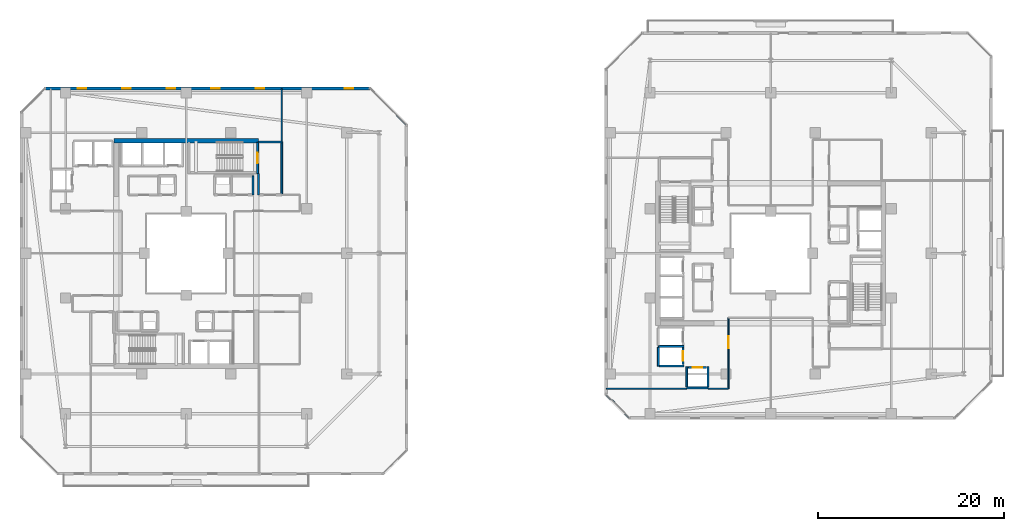
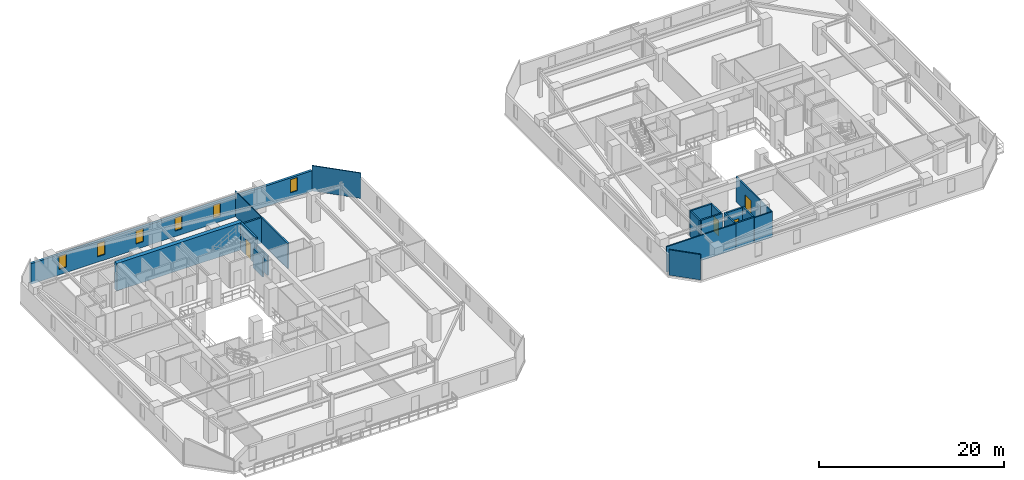
# One storey, part 22 of 32: 22 walls, 6 windows, 4 doors, 10 openings.
"""IFC4 building model written with IfcOpenShell, lengths in metres."""

from ifc_helpers import new_model, si_unit, direction, frame, frame_2d, origin, place, context, subcontext, project, spatial, rectangle, extrude, material, layer, layer_set, type_object, element, fill, save


model = new_model("IFC4")

# Units and contexts
model_context = context("Model", 3, precision=1e-05, world=origin(), true_north=direction((0.0, 1.0)))
body_context = subcontext(model_context, "Body", "Model", "MODEL_VIEW")
ifc_project = project(units=[si_unit("LENGTHUNIT", "METRE"), si_unit("AREAUNIT", "SQUARE_METRE"), si_unit("VOLUMEUNIT", "CUBIC_METRE"), si_unit("PLANEANGLEUNIT", "RADIAN"), si_unit("MASSUNIT", "GRAM", prefix="KILO")], contexts=[model_context])

# Site, building, storey
site_placement = place(None, origin())
site = spatial("IfcSite", under=ifc_project, at=site_placement, CompositionType="ELEMENT")
building_placement = place(site_placement, origin())
building = spatial("IfcBuilding", under=site, at=building_placement, Name="Thornwick Lancets Civic Towers", CompositionType="ELEMENT")
storey_placement = place(building_placement, frame((0.0, 0.0, 152.699951171875)))
storey = spatial("IfcBuildingStorey", under=building, at=storey_placement, Name="L40", CompositionType="ELEMENT", Elevation=152.699951171875)

# Wall, opening, door
ifc_material_1 = material(Name="Concrete blockwork C40/50", Category="masonry")
ifc_layer_1 = layer(ifc_material_1, 0.199951171875, Name="Concrete blockwork C40/50")
ifc_layer_set_1 = layer_set([ifc_layer_1], Name="Concrete blockwork C40/50")
wall_type_1 = type_object("IfcWallType", Name="WALL_COMP_200", PredefinedType="STANDARD", material=ifc_layer_set_1)
wall_1_placement = place(storey_placement, frame((79.050048828125, 15.030029296875, 0.0), z_axis=(0.0, 0.0, 1.0), x_axis=(0.0, 1.0, 0.0)))
wall_1 = element("IfcWall", 1, at=wall_1_placement, inside=storey, type_object=wall_type_1, Name="L40 Hoistway Front Wall PL-BM2", PredefinedType="STANDARD", context=body_context, shape_type="SweptSolid", body=[
    extrude(rectangle(XDim=1.7900390625, YDim=0.199951171875, at=frame_2d((0.89501953125, 0.0))), origin(), (0.0, 0.0, 1.0), 3.340087890625),
])
opening_1_placement = place(wall_1_placement, frame((0.385009765625, 0.0, 0.0)))
opening_1 = element("IfcOpeningElement", 2, at=opening_1_placement, cuts=wall_1, Name="Opening LD-PL-BM2", PredefinedType="OPENING", context=body_context, shape_type="SweptSolid", body=[
    extrude(rectangle(XDim=1.02001953125, YDim=2.06005859375, at=frame_2d((0.510009765625, 1.030029296875))), frame((0.0, 0.10986328125, 0.0), z_axis=(0.0, -1.0, 0.0), x_axis=(1.0, 0.0, 0.0)), (0.0, 0.0, 1.0), 0.219970703125),
])
ifc_material_2 = material(Name="Brushed bronze stainless steel", Category="steel")
door_type_1 = type_object("IfcDoorType", Name="DOOR_LIFT_SLIDE", OperationType="SLIDING_TO_LEFT", PredefinedType="DOOR", material=ifc_material_2)
door_1_placement = place(opening_1_placement, origin())
door_1 = element("IfcDoor", 3, at=door_1_placement, inside=storey, type_object=door_type_1, Name="L40 Sliding Lift Landing Door LD-PL-BM2", OperationType="SLIDING_TO_LEFT", OverallHeight=2.06005859375, OverallWidth=1.02001953125, PredefinedType="DOOR", context=body_context, shape_type="SweptSolid", body=[
    extrude(rectangle(XDim=1.02001953125, YDim=2.06005859375, at=frame_2d((0.510009765625, 1.030029296875))), frame((0.0, 0.02490234375, 0.0), z_axis=(0.0, -1.0, 0.0), x_axis=(1.0, 0.0, 0.0)), (0.0, 0.0, 1.0), 0.050048828125),
])
fill(opening_1, door_1)

wall_2_placement = place(storey_placement, frame((79.6298828125, 14.699951171875, 0.0), z_axis=(0.0, 0.0, 1.0), x_axis=(1.0, 0.0, 0.0)))
wall_2 = element("IfcWall", 4, at=wall_2_placement, inside=storey, type_object=wall_type_1, Name="L40 Hoistway Front Wall PL-BM3", PredefinedType="STANDARD", context=body_context, shape_type="SweptSolid", body=[
    extrude(rectangle(XDim=1.940185546875, YDim=0.199951171875, at=frame_2d((0.97021484375, 0.0))), origin(), (0.0, 0.0, 1.0), 3.340087890625),
])
opening_2_placement = place(wall_2_placement, frame((0.4599609375, 0.0, 0.0)))
opening_2 = element("IfcOpeningElement", 5, at=opening_2_placement, cuts=wall_2, Name="Opening LD-PL-BM3", PredefinedType="OPENING", context=body_context, shape_type="SweptSolid", body=[
    extrude(rectangle(XDim=1.02001953125, YDim=2.06005859375, at=frame_2d((0.510009765625, 1.030029296875))), frame((0.0, 0.10986328125, 0.0), z_axis=(0.0, -1.0, 0.0), x_axis=(1.0, 0.0, 0.0)), (0.0, 0.0, 1.0), 0.219970703125),
])
door_2_placement = place(opening_2_placement, origin())
door_2 = element("IfcDoor", 6, at=door_2_placement, inside=storey, type_object=door_type_1, Name="L40 Sliding Lift Landing Door LD-PL-BM3", OperationType="SLIDING_TO_LEFT", OverallHeight=2.06005859375, OverallWidth=1.02001953125, PredefinedType="DOOR", context=body_context, shape_type="SweptSolid", body=[
    extrude(rectangle(XDim=1.02001953125, YDim=2.06005859375, at=frame_2d((0.510009765625, 1.030029296875))), frame((0.0, 0.02490234375, 0.0), z_axis=(0.0, -1.0, 0.0), x_axis=(1.0, 0.0, 0.0)), (0.0, 0.0, 1.0), 0.050048828125),
])
fill(opening_2, door_2)

# Walls
wall_3_placement = place(storey_placement, frame((76.402099609375, 16.97509765625, 0.0), z_axis=(0.0, 0.0, 1.0), x_axis=(1.0, 0.0, 0.0)))
element("IfcWall", 7, at=wall_3_placement, inside=storey, type_object=wall_type_1, Name="L40 Hoistway Shaft Wall PL-BM1 S", PredefinedType="STANDARD", context=body_context, shape_type="SweptSolid", body=[
    extrude(rectangle(XDim=2.745849609375, YDim=0.199951171875, at=frame_2d((1.373046875, 0.0))), origin(), (0.0, 0.0, 1.0), 3.340087890625),
])
wall_4_placement = place(storey_placement, frame((76.39990234375, 14.85205078125, 0.0), z_axis=(0.0, 0.0, 1.0), x_axis=(0.0, 1.0, 0.0)))
element("IfcWall", 8, at=wall_4_placement, inside=storey, type_object=wall_type_1, Name="L40 Hoistway Shaft Wall PL-BM1 W", PredefinedType="STANDARD", context=body_context, shape_type="SweptSolid", body=[
    extrude(rectangle(XDim=2.015869140625, YDim=0.199951171875, at=frame_2d((1.0078125, 0.0))), origin(), (0.0, 0.0, 1.0), 3.340087890625),
])
wall_5_placement = place(storey_placement, frame((76.511962890625, 14.85009765625, 0.0), z_axis=(0.0, 0.0, 1.0), x_axis=(1.0, 0.0, 0.0)))
element("IfcWall", 9, at=wall_5_placement, inside=storey, type_object=wall_type_1, Name="L40 Hoistway Shaft Wall PL-BM2 S", PredefinedType="STANDARD", context=body_context, shape_type="SweptSolid", body=[
    extrude(rectangle(XDim=2.635986328125, YDim=0.199951171875, at=frame_2d((1.31787109375, 0.0))), origin(), (0.0, 0.0, 1.0), 3.340087890625),
])
wall_6_placement = place(storey_placement, frame((79.451904296875, 12.5, 0.0), z_axis=(0.0, 0.0, 1.0), x_axis=(1.0, 0.0, 0.0)))
element("IfcWall", 10, at=wall_6_placement, inside=storey, type_object=wall_type_1, Name="L40 Hoistway Shaft Wall PL-BM3 S", PredefinedType="STANDARD", context=body_context, shape_type="SweptSolid", body=[
    extrude(rectangle(XDim=2.296142578125, YDim=0.199951171875, at=frame_2d((1.14794921875, 0.0))), origin(), (0.0, 0.0, 1.0), 3.340087890625),
])
for number, where, z_axis, x_axis, name in (
    (11, (81.75, 12.612060546875, 0.0), (0.0, 0.0, 1.0), (0.0, 1.0, 0.0), "L40 Hoistway Shaft Wall PL-BM3 E"),
    (12, (79.449951171875, 12.612060546875, 0.0), (0.0, 0.0, 1.0), (0.0, 1.0, 0.0), "L40 Hoistway Shaft Wall PL-BM3 W"),
):
    element("IfcWall", number, at=place(storey_placement, frame(where, z_axis=z_axis, x_axis=x_axis)), inside=storey, type_object=wall_type_1, Name=name, PredefinedType="STANDARD", context=body_context, shape_type="SweptSolid", body=[
        extrude(rectangle(XDim=2.18603515625, YDim=0.199951171875, at=frame_2d((1.093017578125, 0.0))), origin(), (0.0, 0.0, 1.0), 3.340087890625),
    ])
wall_7_placement = place(storey_placement, frame((35.800048828125, 33.300048828125, 0.0), z_axis=(0.0, 0.0, 1.0), x_axis=(0.0, 1.0, 0.0)))
element("IfcWall", 13, at=wall_7_placement, inside=storey, type_object=wall_type_1, Name="L40 Partition L40-A-FFLOB2 E2", PredefinedType="STANDARD", context=body_context, shape_type="SweptSolid", body=[
    extrude(rectangle(XDim=5.699951171875, YDim=0.199951171875, at=frame_2d((2.85009765625, 0.0))), origin(), (0.0, 0.0, 1.0), 3.340087890625),
])
wall_8_placement = place(storey_placement, frame((35.800048828125, 39.0, 0.0), z_axis=(0.0, 0.0, 1.0), x_axis=(-1.0, 0.0, 0.0)))
element("IfcWall", 14, at=wall_8_placement, inside=storey, type_object=wall_type_1, Name="L40 Partition L40-A-FFLOB2 E3", PredefinedType="STANDARD", context=body_context, shape_type="SweptSolid", body=[
    extrude(rectangle(XDim=2.5, YDim=0.199951171875, at=frame_2d((1.25, 0.0))), origin(), (0.0, 0.0, 1.0), 3.340087890625),
])
wall_9_placement = place(storey_placement, frame((33.300048828125, 35.60009765625, 0.0), z_axis=(0.0, 0.0, 1.0), x_axis=(0.0, -1.0, 0.0)))
element("IfcWall", 15, at=wall_9_placement, inside=storey, type_object=wall_type_1, Name="L40 Partition L40-A-FFLOB2 E4", PredefinedType="STANDARD", context=body_context, shape_type="SweptSolid", body=[
    extrude(rectangle(XDim=2.300048828125, YDim=0.199951171875, at=frame_2d((1.14990234375, 0.0))), origin(), (0.0, 0.0, 1.0), 2.545166015625),
])
wall_10_placement = place(storey_placement, frame((32.699951171875, 35.35009765625, 0.0), z_axis=(0.0, 0.0, 1.0), x_axis=(0.0, -1.0, 0.0)))
element("IfcWall", 16, at=wall_10_placement, inside=storey, type_object=wall_type_1, Name="L40 Partition L40-A-STR E1", PredefinedType="STANDARD", context=body_context, shape_type="SweptSolid", body=[
    extrude(rectangle(XDim=2.050048828125, YDim=0.199951171875, at=frame_2d((1.02490234375, 0.0))), origin(), (0.0, 0.0, 1.0), 2.545166015625),
])
ifc_material_3 = material(Name="Concrete C50/60", Category="concrete")
ifc_layer_2 = layer(ifc_material_3, 0.5, Name="Concrete C50/60")
ifc_layer_set_2 = layer_set([ifc_layer_2], Name="Concrete C50/60")
wall_type_2 = type_object("IfcWallType", Name="WALL_CORE_500", PredefinedType="SHEAR", material=ifc_layer_set_2)
wall_11_placement = place(storey_placement, frame((17.699951171875, 39.14990234375, 0.0), z_axis=(0.0, 0.0, 1.0), x_axis=(1.0, 0.0, 0.0)))
element("IfcWall", 17, at=wall_11_placement, inside=storey, type_object=wall_type_2, Name="L40 Split Core A2 Shear Wall N", PredefinedType="SHEAR", context=body_context, shape_type="SweptSolid", body=[
    extrude(rectangle(XDim=15.60009765625, YDim=0.5, at=frame_2d((7.800048828125, 0.0))), origin(), (0.0, 0.0, 1.0), 3.60009765625),
])

# Wall, openings, windows
ifc_material_4 = material(Name="Insulated russet terracotta rainscreen on concrete C40/50", Category="masonry")
ifc_layer_3 = layer(ifc_material_4, 0.300048828125, Name="Insulated russet terracotta rainscreen on concrete C40/50")
ifc_layer_set_3 = layer_set([ifc_layer_3], Name="Insulated russet terracotta rainscreen on concrete C40/50")
wall_type_3 = type_object("IfcWallType", Name="WALL_EXT_RUSSET_300", PredefinedType="STANDARD", material=ifc_layer_set_3)
wall_12_placement = place(storey_placement, frame((45.3017578125, 44.760009765625, 0.0), z_axis=(0.0, 0.0, 1.0), x_axis=(-0.999999991209, 0.000132597301, 0.0)))
wall_12 = element("IfcWall", 18, at=wall_12_placement, inside=storey, type_object=wall_type_3, Name="L40 Tower A Terracotta Facade Wall E4", PredefinedType="STANDARD", context=body_context, shape_type="SweptSolid", body=[
    extrude(rectangle(XDim=34.983154296875, YDim=0.300048828125, at=frame_2d((17.49169921875, 0.0))), origin(), (0.0, 0.0, 1.0), 2.699951171875),
])
opening_3_placement = place(wall_12_placement, frame((1.800048828125, 0.0, 0.719970703125)))
opening_3 = element("IfcOpeningElement", 19, at=opening_3_placement, cuts=wall_12, Name="Opening WL-01", PredefinedType="OPENING", context=body_context, shape_type="SweptSolid", body=[
    extrude(rectangle(XDim=0.89990234375, YDim=1.75, at=frame_2d((0.449951171875, 0.875))), frame((0.0, 0.16015625, 0.0), z_axis=(0.0, -1.0, 0.0), x_axis=(1.0, 0.0, 0.0)), (0.0, 0.0, 1.0), 0.320068359375),
])
opening_4_placement = place(wall_12_placement, frame((11.39990234375, 0.0, 0.719970703125)))
opening_4 = element("IfcOpeningElement", 20, at=opening_4_placement, cuts=wall_12, Name="Opening WL-01", PredefinedType="OPENING", context=body_context, shape_type="SweptSolid", body=[
    extrude(rectangle(XDim=0.89990234375, YDim=1.75, at=frame_2d((0.449951171875, 0.875))), frame((0.0, 0.16015625, 0.0), z_axis=(0.0, -1.0, 0.0), x_axis=(1.0, 0.0, 0.0)), (0.0, 0.0, 1.0), 0.320068359375),
])
opening_5_placement = place(wall_12_placement, frame((16.199951171875, 0.0, 0.719970703125)))
opening_5 = element("IfcOpeningElement", 21, at=opening_5_placement, cuts=wall_12, Name="Opening WL-01", PredefinedType="OPENING", context=body_context, shape_type="SweptSolid", body=[
    extrude(rectangle(XDim=0.89990234375, YDim=1.75, at=frame_2d((0.449951171875, 0.875))), frame((0.0, 0.16015625, 0.0), z_axis=(0.0, -1.0, 0.0), x_axis=(1.0, 0.0, 0.0)), (0.0, 0.0, 1.0), 0.320068359375),
])
opening_6_placement = place(wall_12_placement, frame((21.0, 0.0, 0.719970703125)))
opening_6 = element("IfcOpeningElement", 22, at=opening_6_placement, cuts=wall_12, Name="Opening WL-01", PredefinedType="OPENING", context=body_context, shape_type="SweptSolid", body=[
    extrude(rectangle(XDim=0.89990234375, YDim=1.75, at=frame_2d((0.449951171875, 0.875))), frame((0.0, 0.16015625, 0.0), z_axis=(0.0, -1.0, 0.0), x_axis=(1.0, 0.0, 0.0)), (0.0, 0.0, 1.0), 0.320068359375),
])
opening_7_placement = place(wall_12_placement, frame((25.800048828125, 0.0, 0.719970703125)))
opening_7 = element("IfcOpeningElement", 23, at=opening_7_placement, cuts=wall_12, Name="Opening WL-01", PredefinedType="OPENING", context=body_context, shape_type="SweptSolid", body=[
    extrude(rectangle(XDim=0.89990234375, YDim=1.75, at=frame_2d((0.449951171875, 0.875))), frame((0.0, 0.16015625, 0.0), z_axis=(0.0, -1.0, 0.0), x_axis=(1.0, 0.0, 0.0)), (0.0, 0.0, 1.0), 0.320068359375),
])
opening_8_placement = place(wall_12_placement, frame((30.60009765625, 0.0, 0.719970703125)))
opening_8 = element("IfcOpeningElement", 24, at=opening_8_placement, cuts=wall_12, Name="Opening WL-01", PredefinedType="OPENING", context=body_context, shape_type="SweptSolid", body=[
    extrude(rectangle(XDim=0.89990234375, YDim=1.75, at=frame_2d((0.449951171875, 0.875))), frame((0.0, 0.16015625, 0.0), z_axis=(0.0, -1.0, 0.0), x_axis=(1.0, 0.0, 0.0)), (0.0, 0.0, 1.0), 0.320068359375),
])
ifc_material_5 = material(Name="Clear low-e double glazing in bronze frame", Category="glass")
window_type = type_object("IfcWindowType", Name="WIN_LANCET_900", PartitioningType="SINGLE_PANEL", PredefinedType="WINDOW", material=ifc_material_5)
window_1_placement = place(opening_3_placement, origin())
window_1 = element("IfcWindow", 25, at=window_1_placement, inside=storey, type_object=window_type, Name="L40 Tower A Staggered Lancet Window E4-1", OverallHeight=1.75, OverallWidth=0.89990234375, PartitioningType="SINGLE_PANEL", PredefinedType="WINDOW", context=body_context, shape_type="SweptSolid", body=[
    extrude(rectangle(XDim=0.89990234375, YDim=1.75, at=frame_2d((0.449951171875, 0.875))), frame((0.0, 0.030029296875, 0.0), z_axis=(0.0, -1.0, 0.0), x_axis=(1.0, 0.0, 0.0)), (0.0, 0.0, 1.0), 0.06005859375),
])
fill(opening_3, window_1)
window_2_placement = place(opening_4_placement, origin())
window_2 = element("IfcWindow", 26, at=window_2_placement, inside=storey, type_object=window_type, Name="L40 Tower A Staggered Lancet Window E4-2", OverallHeight=1.75, OverallWidth=0.89990234375, PartitioningType="SINGLE_PANEL", PredefinedType="WINDOW", context=body_context, shape_type="SweptSolid", body=[
    extrude(rectangle(XDim=0.89990234375, YDim=1.75, at=frame_2d((0.449951171875, 0.875))), frame((0.0, 0.030029296875, 0.0), z_axis=(0.0, -1.0, 0.0), x_axis=(1.0, 0.0, 0.0)), (0.0, 0.0, 1.0), 0.06005859375),
])
fill(opening_4, window_2)
window_3_placement = place(opening_5_placement, origin())
window_3 = element("IfcWindow", 27, at=window_3_placement, inside=storey, type_object=window_type, Name="L40 Tower A Staggered Lancet Window E4-3", OverallHeight=1.75, OverallWidth=0.89990234375, PartitioningType="SINGLE_PANEL", PredefinedType="WINDOW", context=body_context, shape_type="SweptSolid", body=[
    extrude(rectangle(XDim=0.89990234375, YDim=1.75, at=frame_2d((0.449951171875, 0.875))), frame((0.0, 0.030029296875, 0.0), z_axis=(0.0, -1.0, 0.0), x_axis=(1.0, 0.0, 0.0)), (0.0, 0.0, 1.0), 0.06005859375),
])
fill(opening_5, window_3)
window_4_placement = place(opening_6_placement, origin())
window_4 = element("IfcWindow", 28, at=window_4_placement, inside=storey, type_object=window_type, Name="L40 Tower A Staggered Lancet Window E4-4", OverallHeight=1.75, OverallWidth=0.89990234375, PartitioningType="SINGLE_PANEL", PredefinedType="WINDOW", context=body_context, shape_type="SweptSolid", body=[
    extrude(rectangle(XDim=0.89990234375, YDim=1.75, at=frame_2d((0.449951171875, 0.875))), frame((0.0, 0.030029296875, 0.0), z_axis=(0.0, -1.0, 0.0), x_axis=(1.0, 0.0, 0.0)), (0.0, 0.0, 1.0), 0.06005859375),
])
fill(opening_6, window_4)
window_5_placement = place(opening_7_placement, origin())
window_5 = element("IfcWindow", 29, at=window_5_placement, inside=storey, type_object=window_type, Name="L40 Tower A Staggered Lancet Window E4-5", OverallHeight=1.75, OverallWidth=0.89990234375, PartitioningType="SINGLE_PANEL", PredefinedType="WINDOW", context=body_context, shape_type="SweptSolid", body=[
    extrude(rectangle(XDim=0.89990234375, YDim=1.75, at=frame_2d((0.449951171875, 0.875))), frame((0.0, 0.030029296875, 0.0), z_axis=(0.0, -1.0, 0.0), x_axis=(1.0, 0.0, 0.0)), (0.0, 0.0, 1.0), 0.06005859375),
])
fill(opening_7, window_5)
window_6_placement = place(opening_8_placement, origin())
window_6 = element("IfcWindow", 30, at=window_6_placement, inside=storey, type_object=window_type, Name="L40 Tower A Staggered Lancet Window E4-6", OverallHeight=1.75, OverallWidth=0.89990234375, PartitioningType="SINGLE_PANEL", PredefinedType="WINDOW", context=body_context, shape_type="SweptSolid", body=[
    extrude(rectangle(XDim=0.89990234375, YDim=1.75, at=frame_2d((0.449951171875, 0.875))), frame((0.0, 0.030029296875, 0.0), z_axis=(0.0, -1.0, 0.0), x_axis=(1.0, 0.0, 0.0)), (0.0, 0.0, 1.0), 0.06005859375),
])
fill(opening_8, window_6)

# Walls
ifc_material_6 = material(Name="Acoustic gypsum board partition")
ifc_layer_4 = layer(ifc_material_6, 0.1201171875, Name="Acoustic gypsum board partition")
ifc_layer_set_4 = layer_set([ifc_layer_4], Name="Acoustic gypsum board partition")
wall_type_4 = type_object("IfcWallType", Name="WALL_PART_120", PredefinedType="PARTITIONING", material=ifc_layer_set_4)
wall_13_placement = place(storey_placement, frame((35.800048828125, 39.0, 0.0), z_axis=(0.0, 0.0, 1.0), x_axis=(0.0, 1.0, 0.0)))
element("IfcWall", 31, at=wall_13_placement, inside=storey, type_object=wall_type_4, Name="L40 Partition L40-A-E3 E6", PredefinedType="PARTITIONING", context=body_context, shape_type="SweptSolid", body=[
    extrude(rectangle(XDim=5.719970703125, YDim=0.1201171875, at=frame_2d((2.85986328125, 0.0))), origin(), (0.0, 0.0, 1.0), 3.340087890625),
])
wall_14_placement = place(storey_placement, frame((45.34033203125, 44.719970703125, 0.0), z_axis=(0.0, 0.0, 1.0), x_axis=(0.707106781187, -0.707106781187, 0.0)))
element("IfcWall", 32, at=wall_14_placement, inside=storey, type_object=wall_type_4, Name="L40 Partition L40-A-E3 E8", PredefinedType="PARTITIONING", context=body_context, shape_type="SweptSolid", body=[
    extrude(rectangle(XDim=5.486572265625, YDim=0.1201171875, at=frame_2d((2.7431640625, 0.0))), origin(), (0.0, 0.0, 1.0), 3.340087890625),
])

# Wall, opening, door
ifc_material_7 = material(Name="Twin-stud acoustic gypsum board")
ifc_layer_5 = layer(ifc_material_7, 0.14990234375, Name="Twin-stud acoustic gypsum board")
ifc_layer_set_5 = layer_set([ifc_layer_5], Name="Twin-stud acoustic gypsum board")
wall_type_5 = type_object("IfcWallType", Name="WALL_PART_150", PredefinedType="PARTITIONING", material=ifc_layer_set_5)
wall_15_placement = place(storey_placement, frame((83.949951171875, 14.75, 0.0), z_axis=(0.0, 0.0, 1.0), x_axis=(0.0, 1.0, 0.0)))
wall_15 = element("IfcWall", 33, at=wall_15_placement, inside=storey, type_object=wall_type_5, Name="L40 Partition L40-B-W2 E1", PredefinedType="PARTITIONING", context=body_context, shape_type="SweptSolid", body=[
    extrude(rectangle(XDim=5.300048828125, YDim=0.14990234375, at=frame_2d((2.64990234375, 0.0))), origin(), (0.0, 0.0, 1.0), 3.340087890625),
])
opening_9_placement = place(wall_15_placement, frame((2.0, 0.0, 0.0)))
opening_9 = element("IfcOpeningElement", 34, at=opening_9_placement, cuts=wall_15, Name="Opening D-L40-1822", PredefinedType="OPENING", context=body_context, shape_type="SweptSolid", body=[
    extrude(rectangle(XDim=1.300048828125, YDim=2.1201171875, at=frame_2d((0.64990234375, 1.06005859375))), frame((0.0, 0.0849609375, 0.0), z_axis=(0.0, -1.0, 0.0), x_axis=(1.0, 0.0, 0.0)), (0.0, 0.0, 1.0), 0.169921875),
])
ifc_material_8 = material(Name="Acoustic oak leaf-and-a-half doorset")
door_type_2 = type_object("IfcDoorType", Name="DOOR_MEET_1300", OperationType="DOUBLE_DOOR_SINGLE_SWING", PredefinedType="DOOR", material=ifc_material_8)
door_3_placement = place(opening_9_placement, origin())
door_3 = element("IfcDoor", 35, at=door_3_placement, inside=storey, type_object=door_type_2, Name="L40 Tower B Policy Briefing Room W2 Door", OperationType="DOUBLE_DOOR_SINGLE_SWING", OverallHeight=2.1201171875, OverallWidth=1.300048828125, PredefinedType="DOOR", context=body_context, shape_type="SweptSolid", body=[
    extrude(rectangle(XDim=1.300048828125, YDim=2.1201171875, at=frame_2d((0.64990234375, 1.06005859375))), frame((0.0, 0.02490234375, 0.0), z_axis=(0.0, -1.0, 0.0), x_axis=(1.0, 0.0, 0.0)), (0.0, 0.0, 1.0), 0.050048828125),
])
fill(opening_9, door_3)

# Walls
wall_16_placement = place(storey_placement, frame((73.274658203125, 9.280029296875, 0.0), z_axis=(0.0, 0.0, 1.0), x_axis=(-0.707106781187, 0.707106781187, 0.0)))
element("IfcWall", 36, at=wall_16_placement, inside=storey, type_object=wall_type_5, Name="L40 Partition L40-B-W2 E5", PredefinedType="PARTITIONING", context=body_context, shape_type="SweptSolid", body=[
    extrude(rectangle(XDim=3.52783203125, YDim=0.14990234375, at=frame_2d((1.763916015625, 0.0))), origin(), (0.0, 0.0, 1.0), 3.340087890625),
])
wall_17_placement = place(storey_placement, frame((70.780029296875, 12.39990234375, 0.0), z_axis=(0.0, 0.0, 1.0), x_axis=(1.0, 0.0, 0.0)))
element("IfcWall", 37, at=wall_17_placement, inside=storey, type_object=wall_type_5, Name="L40 Partition L40-B-W2 E7", PredefinedType="PARTITIONING", context=body_context, shape_type="SweptSolid", body=[
    extrude(rectangle(XDim=8.671875, YDim=0.14990234375, at=frame_2d((4.3359375, 0.0))), origin(), (0.0, 0.0, 1.0), 3.340087890625),
])
wall_18_placement = place(storey_placement, frame((81.748046875, 12.39990234375, 0.0), z_axis=(0.0, 0.0, 1.0), x_axis=(1.0, 0.0, 0.0)))
element("IfcWall", 38, at=wall_18_placement, inside=storey, type_object=wall_type_5, Name="L40 Partition L40-B-W2 E7", PredefinedType="PARTITIONING", context=body_context, shape_type="SweptSolid", body=[
    extrude(rectangle(XDim=2.201904296875, YDim=0.14990234375, at=frame_2d((1.10107421875, 0.0))), origin(), (0.0, 0.0, 1.0), 3.340087890625),
])
wall_19_placement = place(storey_placement, frame((83.949951171875, 12.39990234375, 0.0), z_axis=(0.0, 0.0, 1.0), x_axis=(0.0, 1.0, 0.0)))
element("IfcWall", 39, at=wall_19_placement, inside=storey, type_object=wall_type_5, Name="L40 Partition L40-B-W2 E8", PredefinedType="PARTITIONING", context=body_context, shape_type="SweptSolid", body=[
    extrude(rectangle(XDim=2.35009765625, YDim=0.14990234375, at=frame_2d((1.175048828125, 0.0))), origin(), (0.0, 0.0, 1.0), 3.340087890625),
])

# Wall, opening, door
ifc_material_9 = material(Name="Concrete C40/50", Category="concrete")
ifc_layer_6 = layer(ifc_material_9, 0.199951171875, Name="Concrete C40/50")
ifc_layer_set_6 = layer_set([ifc_layer_6], Name="Concrete C40/50")
wall_type_6 = type_object("IfcWallType", Name="WALL_SHAFT_200", PredefinedType="SHEAR", material=ifc_layer_set_6)
wall_20_placement = place(storey_placement, frame((33.199951171875, 38.949951171875, 0.0), z_axis=(0.0, 0.0, 1.0), x_axis=(0.0, -1.0, 0.0)))
wall_20 = element("IfcWall", 40, at=wall_20_placement, inside=storey, type_object=wall_type_6, Name="L40 ST-A2 Fire Stair Core Wall NEAR", PredefinedType="SHEAR", context=body_context, shape_type="SweptSolid", body=[
    extrude(rectangle(XDim=3.349853515625, YDim=0.199951171875, at=frame_2d((1.6748046875, 0.0))), origin(), (0.0, 0.0, 1.0), 3.60009765625),
])
opening_10_placement = place(wall_20_placement, frame((1.125, 0.0, 0.0)))
opening_10 = element("IfcOpeningElement", 41, at=opening_10_placement, cuts=wall_20, Name="Opening D-ST-A2-L40", PredefinedType="OPENING", context=body_context, shape_type="SweptSolid", body=[
    extrude(rectangle(XDim=1.10009765625, YDim=2.10009765625, at=frame_2d((0.550048828125, 1.050048828125))), frame((0.0, 0.10986328125, 0.0), z_axis=(0.0, -1.0, 0.0), x_axis=(1.0, 0.0, 0.0)), (0.0, 0.0, 1.0), 0.219970703125),
])
ifc_material_10 = material(Name="Fire-resisting steel and hardwood", Category="steel")
door_type_3 = type_object("IfcDoorType", Name="DOOR_STAIR_FD60", OperationType="NOTDEFINED", PredefinedType="DOOR", material=ifc_material_10)
door_4_placement = place(opening_10_placement, origin())
door_4 = element("IfcDoor", 42, at=door_4_placement, inside=storey, type_object=door_type_3, Name="L40 ST-A2 Exit Stair Door", OperationType="SINGLE_SWING_LEFT", OverallHeight=2.10009765625, OverallWidth=1.10009765625, PredefinedType="DOOR", context=body_context, shape_type="SweptSolid", body=[
    extrude(rectangle(XDim=1.10009765625, YDim=2.10009765625, at=frame_2d((0.550048828125, 1.050048828125))), frame((0.0, 0.02490234375, 0.0), z_axis=(0.0, -1.0, 0.0), x_axis=(1.0, 0.0, 0.0)), (0.0, 0.0, 1.0), 0.050048828125),
])
fill(opening_10, door_4)

save(model, "model.ifc")
